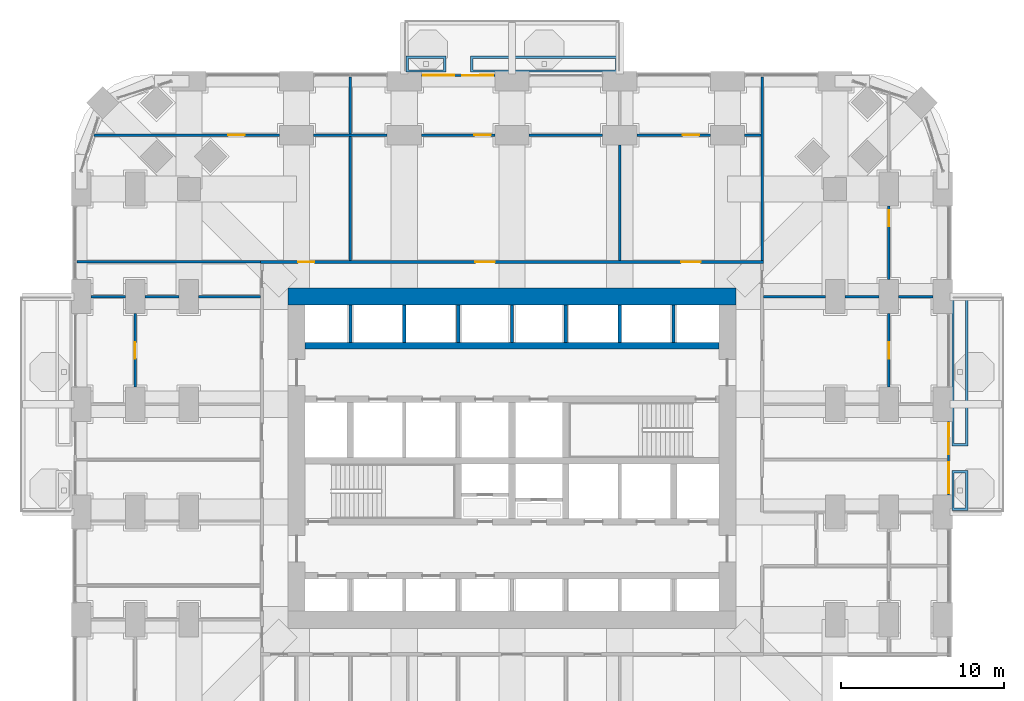
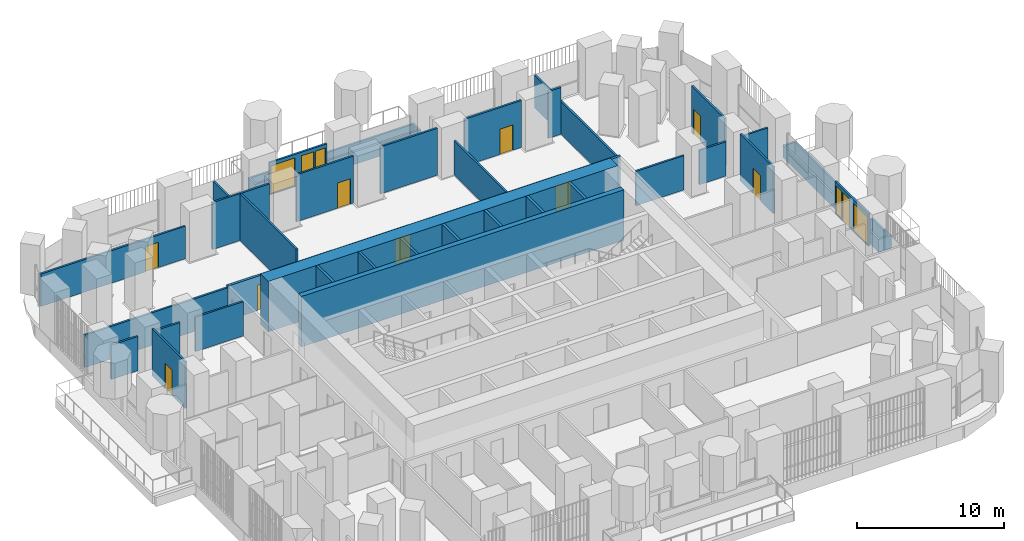
# One storey, part 20 of 26: 36 walls, 11 doors, 4 windows, 15 openings.
"""IFC4 building model written with IfcOpenShell, lengths in metres."""

from ifc_helpers import new_model, si_unit, direction, frame, frame_2d, origin, place, context, subcontext, project, spatial, polyline, rectangle, outline, extrude, material, layer, layer_set, type_object, element, fill, save


model = new_model("IFC4")

# Units and contexts
model_context = context("Model", 3, precision=1e-05, world=origin(), true_north=direction((0.0, 1.0)))
body_context = subcontext(model_context, "Body", "Model", "MODEL_VIEW")
ifc_project = project(units=[si_unit("LENGTHUNIT", "METRE"), si_unit("AREAUNIT", "SQUARE_METRE"), si_unit("VOLUMEUNIT", "CUBIC_METRE"), si_unit("PLANEANGLEUNIT", "RADIAN"), si_unit("MASSUNIT", "GRAM", prefix="KILO")], contexts=[model_context])

# Site, building, storey
site_placement = place(None, origin())
site = spatial("IfcSite", under=ifc_project, at=site_placement, CompositionType="ELEMENT")
building_placement = place(site_placement, origin())
building = spatial("IfcBuilding", under=site, at=building_placement, Name="Cobogo Forest Laboratory Tower", CompositionType="ELEMENT")
storey_placement = place(building_placement, frame((0.0, 0.0, 59.10009765625)))
storey = spatial("IfcBuildingStorey", under=building, at=storey_placement, Name="L13", CompositionType="ELEMENT", Elevation=59.10009765625)

# Walls
ifc_material_1 = material(Name="Concrete HA-50 (C50/60)", Category="concrete")
ifc_layer_1 = layer(ifc_material_1, 0.39990234375)
ifc_layer_set_1 = layer_set([ifc_layer_1], Name="CI400 core inner wall 400")
wall_type_1 = type_object("IfcWallType", Name="CI400 core inner wall 400", PredefinedType="SHEAR", material=ifc_layer_set_1)
wall_1_placement = place(storey_placement, frame((13.72509765625, 30.0, 0.0), z_axis=(0.0, 0.0, 1.0), x_axis=(1.0, 0.0, 0.0)))
element("IfcWall", 1, at=wall_1_placement, inside=storey, type_object=wall_type_1, Name="Core wall CI-30.0 L13", PredefinedType="SHEAR", context=body_context, shape_type="SweptSolid", body=[
    extrude(rectangle(XDim=25.349853515625, YDim=0.39990234375, at=frame_2d((12.6748046875, 0.0))), origin(), (0.0, 0.0, 1.0), 4.199951171875),
])
ifc_layer_2 = layer(ifc_material_1, 1.050048828125)
ifc_layer_set_2 = layer_set([ifc_layer_2], Name="CW1050 core outer wall 1050")
wall_type_2 = type_object("IfcWallType", Name="CW1050 core outer wall 1050", PredefinedType="SHEAR", material=ifc_layer_set_2)
wall_2_placement = place(storey_placement, frame((40.125, 33.0, 0.0), z_axis=(0.0, 0.0, 1.0), x_axis=(-1.0, 0.0, 0.0)))
element("IfcWall", 2, at=wall_2_placement, inside=storey, type_object=wall_type_2, Name="Core wall CO-N L13", PredefinedType="SHEAR", context=body_context, shape_type="SweptSolid", body=[
    extrude(rectangle(XDim=27.449951171875, YDim=1.050048828125, at=frame_2d((13.72509765625, 0.0))), origin(), (0.0, 0.0, 1.0), 4.199951171875),
])

# Wall, openings, door, windows
ifc_material_2 = material(Name="Aluminium framed glazed screen", Category="aluminium")
ifc_layer_3 = layer(ifc_material_2, 0.14990234375)
ifc_layer_set_3 = layer_set([ifc_layer_3], Name="GS1 glazed door screen 150")
wall_type_3 = type_object("IfcWallType", Name="GS1 glazed door screen 150", PredefinedType="SOLIDWALL", material=ifc_layer_set_3)
wall_3_placement = place(storey_placement, frame((53.14990234375, 20.85009765625, 0.0), z_axis=(0.0, 0.0, 1.0), x_axis=(0.0, 1.0, 0.0)))
wall_3 = element("IfcWall", 3, at=wall_3_placement, inside=storey, type_object=wall_type_3, Name="Door screen BAL-E1 L13", PredefinedType="SOLIDWALL", context=body_context, shape_type="SweptSolid", body=[
    extrude(rectangle(XDim=4.5, YDim=0.14990234375, at=frame_2d((2.25, 0.0))), origin(), (0.0, 0.0, 1.0), 2.699951171875),
])
opening_1_placement = place(wall_3_placement, frame((2.5, 0.0, 0.0)))
opening_1 = element("IfcOpeningElement", 4, at=opening_1_placement, cuts=wall_3, Name="Opening L13-D31", PredefinedType="OPENING", context=body_context, shape_type="SweptSolid", body=[
    extrude(rectangle(XDim=1.0, YDim=2.39990234375, at=frame_2d((0.5, 1.199951171875))), frame((0.0, 0.0849609375, 0.0), z_axis=(0.0, -1.0, 0.0), x_axis=(1.0, 0.0, 0.0)), (0.0, 0.0, 1.0), 0.169921875),
])
opening_2_placement = place(wall_3_placement, frame((0.10009765625, 0.0, 0.10009765625)))
opening_2 = element("IfcOpeningElement", 5, at=opening_2_placement, cuts=wall_3, Name="Opening L13-W04", PredefinedType="OPENING", context=body_context, shape_type="SweptSolid", body=[
    extrude(rectangle(XDim=1.89990234375, YDim=2.300048828125, at=frame_2d((0.949951171875, 1.14990234375))), frame((0.0, 0.0849609375, 0.0), z_axis=(0.0, -1.0, 0.0), x_axis=(1.0, 0.0, 0.0)), (0.0, 0.0, 1.0), 0.169921875),
])
opening_3_placement = place(wall_3_placement, frame((3.60009765625, 0.0, 0.10009765625)))
opening_3 = element("IfcOpeningElement", 6, at=opening_3_placement, cuts=wall_3, Name="Opening L13-W06", PredefinedType="OPENING", context=body_context, shape_type="SweptSolid", body=[
    extrude(rectangle(XDim=0.800048828125, YDim=2.300048828125, at=frame_2d((0.39990234375, 1.14990234375))), frame((0.0, 0.0849609375, 0.0), z_axis=(0.0, -1.0, 0.0), x_axis=(1.0, 0.0, 0.0)), (0.0, 0.0, 1.0), 0.169921875),
])
ifc_material_3 = material(Name="Aluminium glazed door", Category="aluminium")
door_type_1 = type_object("IfcDoorType", Name="DB1 balcony door 1000 glazed", OperationType="SINGLE_SWING_LEFT", PredefinedType="DOOR", material=ifc_material_3)
door_1_placement = place(opening_1_placement, origin())
door_1 = element("IfcDoor", 7, at=door_1_placement, inside=storey, type_object=door_type_1, Name="Door L13-BAL-E1", OperationType="SINGLE_SWING_RIGHT", OverallHeight=2.39990234375, OverallWidth=1.0, PredefinedType="DOOR", context=body_context, shape_type="SweptSolid", body=[
    extrude(rectangle(XDim=1.0, YDim=2.39990234375, at=frame_2d((0.5, 1.199951171875))), frame((0.0, 0.02490234375, 0.0), z_axis=(0.0, -1.0, 0.0), x_axis=(1.0, 0.0, 0.0)), (0.0, 0.0, 1.0), 0.050048828125),
])
fill(opening_1, door_1)
ifc_material_4 = material(Name="Aluminium framed glazing", Category="aluminium")
window_type_1 = type_object("IfcWindowType", Name="WG3 fixed glazed light 1900x2300", PartitioningType="SINGLE_PANEL", PredefinedType="WINDOW", material=ifc_material_4)
window_1_placement = place(opening_2_placement, origin())
window_1 = element("IfcWindow", 8, at=window_1_placement, inside=storey, type_object=window_type_1, Name="Window L13-BAL-E1-1", OverallHeight=2.300048828125, OverallWidth=1.89990234375, PartitioningType="SINGLE_PANEL", PredefinedType="WINDOW", context=body_context, shape_type="SweptSolid", body=[
    extrude(rectangle(XDim=1.89990234375, YDim=2.300048828125, at=frame_2d((0.949951171875, 1.14990234375))), frame((0.0, 0.030029296875, 0.0), z_axis=(0.0, -1.0, 0.0), x_axis=(1.0, 0.0, 0.0)), (0.0, 0.0, 1.0), 0.06005859375),
])
fill(opening_2, window_1)
window_type_2 = type_object("IfcWindowType", Name="WG4 fixed glazed light 800x2300", PartitioningType="SINGLE_PANEL", PredefinedType="WINDOW", material=ifc_material_4)
window_2_placement = place(opening_3_placement, origin())
window_2 = element("IfcWindow", 9, at=window_2_placement, inside=storey, type_object=window_type_2, Name="Window L13-BAL-E1-2", OverallHeight=2.300048828125, OverallWidth=0.800048828125, PartitioningType="SINGLE_PANEL", PredefinedType="WINDOW", context=body_context, shape_type="SweptSolid", body=[
    extrude(rectangle(XDim=0.800048828125, YDim=2.300048828125, at=frame_2d((0.39990234375, 1.14990234375))), frame((0.0, 0.030029296875, 0.0), z_axis=(0.0, -1.0, 0.0), x_axis=(1.0, 0.0, 0.0)), (0.0, 0.0, 1.0), 0.06005859375),
])
fill(opening_3, window_2)

wall_4_placement = place(storey_placement, frame((25.35009765625, 46.550048828125, 0.0), z_axis=(0.0, 0.0, 1.0), x_axis=(-1.0, 0.0, 0.0)))
wall_4 = element("IfcWall", 10, at=wall_4_placement, inside=storey, type_object=wall_type_3, Name="Door screen BAL-N1 L13", PredefinedType="SOLIDWALL", context=body_context, shape_type="SweptSolid", body=[
    extrude(rectangle(XDim=4.5, YDim=0.14990234375, at=frame_2d((2.25, 0.0))), origin(), (0.0, 0.0, 1.0), 2.699951171875),
])
opening_4_placement = place(wall_4_placement, frame((1.0, 0.0, 0.0)))
opening_4 = element("IfcOpeningElement", 11, at=opening_4_placement, cuts=wall_4, Name="Opening L13-D50", PredefinedType="OPENING", context=body_context, shape_type="SweptSolid", body=[
    extrude(rectangle(XDim=1.0, YDim=2.39990234375, at=frame_2d((0.5, 1.199951171875))), frame((0.0, 0.0849609375, 0.0), z_axis=(0.0, -1.0, 0.0), x_axis=(1.0, 0.0, 0.0)), (0.0, 0.0, 1.0), 0.169921875),
])
opening_5_placement = place(wall_4_placement, frame((0.10009765625, 0.0, 0.10009765625)))
opening_5 = element("IfcOpeningElement", 12, at=opening_5_placement, cuts=wall_4, Name="Opening L13-W08", PredefinedType="OPENING", context=body_context, shape_type="SweptSolid", body=[
    extrude(rectangle(XDim=0.800048828125, YDim=2.300048828125, at=frame_2d((0.39990234375, 1.14990234375))), frame((0.0, 0.0849609375, 0.0), z_axis=(0.0, -1.0, 0.0), x_axis=(1.0, 0.0, 0.0)), (0.0, 0.0, 1.0), 0.169921875),
])
opening_6_placement = place(wall_4_placement, frame((2.5, 0.0, 0.10009765625)))
opening_6 = element("IfcOpeningElement", 13, at=opening_6_placement, cuts=wall_4, Name="Opening L13-W07", PredefinedType="OPENING", context=body_context, shape_type="SweptSolid", body=[
    extrude(rectangle(XDim=1.89990234375, YDim=2.300048828125, at=frame_2d((0.949951171875, 1.14990234375))), frame((0.0, 0.0849609375, 0.0), z_axis=(0.0, -1.0, 0.0), x_axis=(1.0, 0.0, 0.0)), (0.0, 0.0, 1.0), 0.169921875),
])
door_2_placement = place(opening_4_placement, origin())
door_2 = element("IfcDoor", 14, at=door_2_placement, inside=storey, type_object=door_type_1, Name="Door L13-BAL-N1", OperationType="SINGLE_SWING_LEFT", OverallHeight=2.39990234375, OverallWidth=1.0, PredefinedType="DOOR", context=body_context, shape_type="SweptSolid", body=[
    extrude(rectangle(XDim=1.0, YDim=2.39990234375, at=frame_2d((0.5, 1.199951171875))), frame((0.0, 0.02490234375, 0.0), z_axis=(0.0, -1.0, 0.0), x_axis=(1.0, 0.0, 0.0)), (0.0, 0.0, 1.0), 0.050048828125),
])
fill(opening_4, door_2)
window_3_placement = place(opening_6_placement, origin())
window_3 = element("IfcWindow", 15, at=window_3_placement, inside=storey, type_object=window_type_1, Name="Window L13-BAL-N1-2", OverallHeight=2.300048828125, OverallWidth=1.89990234375, PartitioningType="SINGLE_PANEL", PredefinedType="WINDOW", context=body_context, shape_type="SweptSolid", body=[
    extrude(rectangle(XDim=1.89990234375, YDim=2.300048828125, at=frame_2d((0.949951171875, 1.14990234375))), frame((0.0, 0.030029296875, 0.0), z_axis=(0.0, -1.0, 0.0), x_axis=(1.0, 0.0, 0.0)), (0.0, 0.0, 1.0), 0.06005859375),
])
fill(opening_6, window_3)
window_4_placement = place(opening_5_placement, origin())
window_4 = element("IfcWindow", 16, at=window_4_placement, inside=storey, type_object=window_type_2, Name="Window L13-BAL-N1-1", OverallHeight=2.300048828125, OverallWidth=0.800048828125, PartitioningType="SINGLE_PANEL", PredefinedType="WINDOW", context=body_context, shape_type="SweptSolid", body=[
    extrude(rectangle(XDim=0.800048828125, YDim=2.300048828125, at=frame_2d((0.39990234375, 1.14990234375))), frame((0.0, 0.030029296875, 0.0), z_axis=(0.0, -1.0, 0.0), x_axis=(1.0, 0.0, 0.0)), (0.0, 0.0, 1.0), 0.06005859375),
])
fill(opening_5, window_4)

# Walls
ifc_material_5 = material(Name="Gypsum board on steel studs", Category="steel")
ifc_layer_4 = layer(ifc_material_5, 0.14990234375)
ifc_layer_set_4 = layer_set([ifc_layer_4], Name="PT1 laboratory partition 150")
wall_type_4 = type_object("IfcWallType", Name="PT1 laboratory partition 150", PredefinedType="PARTITIONING", material=ifc_layer_set_4)
wall_5_placement = place(storey_placement, frame((41.72509765625, 46.469970703125, 0.0), z_axis=(0.0, 0.0, 1.0), x_axis=(0.0, -1.0, 0.0)))
element("IfcWall", 17, at=wall_5_placement, inside=storey, type_object=wall_type_4, Name="Partition PW-NE L13", PredefinedType="PARTITIONING", context=body_context, shape_type="SweptSolid", body=[
    extrude(rectangle(XDim=11.244873046875, YDim=0.14990234375, at=frame_2d((5.62255859375, 0.0))), origin(), (0.0, 0.0, 1.0), 2.699951171875),
])
wall_6_placement = place(storey_placement, frame((-0.27001953125, 35.125, 0.0), z_axis=(0.0, 0.0, 1.0), x_axis=(1.0, 0.0, 0.0)))
element("IfcWall", 18, at=wall_6_placement, inside=storey, type_object=wall_type_4, Name="Partition PW-NW L13", PredefinedType="PARTITIONING", context=body_context, shape_type="SweptSolid", body=[
    extrude(rectangle(XDim=11.2451171875, YDim=0.14990234375, at=frame_2d((5.62255859375, 0.0))), origin(), (0.0, 0.0, 1.0), 2.699951171875),
])

# Wall, opening, door
wall_7_placement = place(storey_placement, frame((49.5, 27.449951171875, 0.0), z_axis=(0.0, 0.0, 1.0), x_axis=(0.0, 1.0, 0.0)))
wall_7 = element("IfcWall", 19, at=wall_7_placement, inside=storey, type_object=wall_type_4, Name="Partition STRIP-E-3 L13", PredefinedType="PARTITIONING", context=body_context, shape_type="SweptSolid", body=[
    extrude(rectangle(XDim=4.5, YDim=0.14990234375, at=frame_2d((2.25, 0.0))), origin(), (0.0, 0.0, 1.0), 3.89990234375),
])
opening_7_placement = place(wall_7_placement, frame((1.75, 0.0, 0.0)))
opening_7 = element("IfcOpeningElement", 20, at=opening_7_placement, cuts=wall_7, Name="Opening L13-D40", PredefinedType="OPENING", context=body_context, shape_type="SweptSolid", body=[
    extrude(rectangle(XDim=1.0, YDim=2.10009765625, at=frame_2d((0.5, 1.050048828125))), frame((0.0, 0.0849609375, 0.0), z_axis=(0.0, -1.0, 0.0), x_axis=(1.0, 0.0, 0.0)), (0.0, 0.0, 1.0), 0.169921875),
])
ifc_material_6 = material(Name="Timber fire door", Category="wood")
door_type_2 = type_object("IfcDoorType", Name="FD2 fire door 1000 EI2 30", OperationType="SINGLE_SWING_LEFT", PredefinedType="DOOR", material=ifc_material_6)
door_3_placement = place(opening_7_placement, origin())
door_3 = element("IfcDoor", 21, at=door_3_placement, inside=storey, type_object=door_type_2, Name="Door L13-E3W", OperationType="SINGLE_SWING_RIGHT", OverallHeight=2.10009765625, OverallWidth=1.0, PredefinedType="DOOR", context=body_context, shape_type="SweptSolid", body=[
    extrude(rectangle(XDim=1.0, YDim=2.10009765625, at=frame_2d((0.5, 1.050048828125))), frame((0.0, 0.02490234375, 0.0), z_axis=(0.0, -1.0, 0.0), x_axis=(1.0, 0.0, 0.0)), (0.0, 0.0, 1.0), 0.050048828125),
])
fill(opening_7, door_3)

wall_8_placement = place(storey_placement, frame((49.5, 34.050048828125, 0.0), z_axis=(0.0, 0.0, 1.0), x_axis=(0.0, 1.0, 0.0)))
wall_8 = element("IfcWall", 22, at=wall_8_placement, inside=storey, type_object=wall_type_4, Name="Partition STRIP-E-4 L13", PredefinedType="PARTITIONING", context=body_context, shape_type="SweptSolid", body=[
    extrude(rectangle(XDim=4.5, YDim=0.14990234375, at=frame_2d((2.25, 0.0))), origin(), (0.0, 0.0, 1.0), 3.89990234375),
])
opening_8_placement = place(wall_8_placement, frame((3.25, 0.0, 0.0)))
opening_8 = element("IfcOpeningElement", 23, at=opening_8_placement, cuts=wall_8, Name="Opening L13-D46", PredefinedType="OPENING", context=body_context, shape_type="SweptSolid", body=[
    extrude(rectangle(XDim=1.0, YDim=2.10009765625, at=frame_2d((0.5, 1.050048828125))), frame((0.0, 0.0849609375, 0.0), z_axis=(0.0, -1.0, 0.0), x_axis=(1.0, 0.0, 0.0)), (0.0, 0.0, 1.0), 0.169921875),
])
door_4_placement = place(opening_8_placement, origin())
door_4 = element("IfcDoor", 24, at=door_4_placement, inside=storey, type_object=door_type_2, Name="Door L13-E4W", OperationType="SINGLE_SWING_RIGHT", OverallHeight=2.10009765625, OverallWidth=1.0, PredefinedType="DOOR", context=body_context, shape_type="SweptSolid", body=[
    extrude(rectangle(XDim=1.0, YDim=2.10009765625, at=frame_2d((0.5, 1.050048828125))), frame((0.0, 0.02490234375, 0.0), z_axis=(0.0, -1.0, 0.0), x_axis=(1.0, 0.0, 0.0)), (0.0, 0.0, 1.0), 0.050048828125),
])
fill(opening_8, door_4)

# Walls
for number, where, z_axis, x_axis, name in (
    (25, (52.199951171875, 33.0, 0.0), (0.0, 0.0, 1.0), (-1.0, 0.0, 0.0), "Partition CUT-E33-1 L13"),
    (26, (48.89990234375, 33.0, 0.0), (0.0, 0.0, 1.0), (-1.0, 0.0, 0.0), "Partition CUT-E33-2 L13"),
):
    element("IfcWall", number, at=place(storey_placement, frame(where, z_axis=z_axis, x_axis=x_axis)), inside=storey, type_object=wall_type_4, Name=name, PredefinedType="PARTITIONING", context=body_context, shape_type="SweptSolid", body=[
        extrude(rectangle(XDim=2.099853515625, YDim=0.14990234375, at=frame_2d((1.0498046875, 0.0))), origin(), (0.0, 0.0, 1.0), 2.849853515625),
    ])
wall_9_placement = place(storey_placement, frame((45.60009765625, 33.0, 0.0), z_axis=(0.0, 0.0, 1.0), x_axis=(-1.0, 0.0, 0.0)))
element("IfcWall", 27, at=wall_9_placement, inside=storey, type_object=wall_type_4, Name="Partition CUT-E33-3 L13", PredefinedType="PARTITIONING", context=body_context, shape_type="SweptSolid", body=[
    extrude(rectangle(XDim=3.775146484375, YDim=0.14990234375, at=frame_2d((1.8876953125, 0.0))), origin(), (0.0, 0.0, 1.0), 2.849853515625),
])
wall_10_placement = place(storey_placement, frame((41.64990234375, 42.89990234375, 0.0), z_axis=(0.0, 0.0, 1.0), x_axis=(-1.0, 0.0, 0.0)))
element("IfcWall", 28, at=wall_10_placement, inside=storey, type_object=wall_type_4, Name="Partition STRIP-N-1 L13", PredefinedType="PARTITIONING", context=body_context, shape_type="SweptSolid", body=[
    extrude(rectangle(XDim=1.0, YDim=0.14990234375, at=frame_2d((0.5, 0.0))), origin(), (0.0, 0.0, 1.0), 3.89990234375),
])

# Wall, opening, door
wall_11_placement = place(storey_placement, frame((38.550048828125, 42.89990234375, 0.0), z_axis=(0.0, 0.0, 1.0), x_axis=(-1.0, 0.0, 0.0)))
wall_11 = element("IfcWall", 29, at=wall_11_placement, inside=storey, type_object=wall_type_4, Name="Partition STRIP-N-2 L13", PredefinedType="PARTITIONING", context=body_context, shape_type="SweptSolid", body=[
    extrude(rectangle(XDim=4.5, YDim=0.14990234375, at=frame_2d((2.25, 0.0))), origin(), (0.0, 0.0, 1.0), 3.89990234375),
])
opening_9_placement = place(wall_11_placement, frame((0.6875, 0.0, 0.0)))
opening_9 = element("IfcOpeningElement", 30, at=opening_9_placement, cuts=wall_11, Name="Opening L13-D49", PredefinedType="OPENING", context=body_context, shape_type="SweptSolid", body=[
    extrude(rectangle(XDim=1.0, YDim=2.10009765625, at=frame_2d((0.5, 1.050048828125))), frame((0.0, 0.0849609375, 0.0), z_axis=(0.0, -1.0, 0.0), x_axis=(1.0, 0.0, 0.0)), (0.0, 0.0, 1.0), 0.169921875),
])
door_5_placement = place(opening_9_placement, origin())
door_5 = element("IfcDoor", 31, at=door_5_placement, inside=storey, type_object=door_type_2, Name="Door L13-N3W", OperationType="SINGLE_SWING_LEFT", OverallHeight=2.10009765625, OverallWidth=1.0, PredefinedType="DOOR", context=body_context, shape_type="SweptSolid", body=[
    extrude(rectangle(XDim=1.0, YDim=2.10009765625, at=frame_2d((0.5, 1.050048828125))), frame((0.0, 0.02490234375, 0.0), z_axis=(0.0, -1.0, 0.0), x_axis=(1.0, 0.0, 0.0)), (0.0, 0.0, 1.0), 0.050048828125),
])
fill(opening_9, door_5)

# Wall
wall_12_placement = place(storey_placement, frame((31.949951171875, 42.89990234375, 0.0), z_axis=(0.0, 0.0, 1.0), x_axis=(-1.0, 0.0, 0.0)))
element("IfcWall", 32, at=wall_12_placement, inside=storey, type_object=wall_type_4, Name="Partition STRIP-N-3 L13", PredefinedType="PARTITIONING", context=body_context, shape_type="SweptSolid", body=[
    extrude(rectangle(XDim=4.5, YDim=0.14990234375, at=frame_2d((2.25, 0.0))), origin(), (0.0, 0.0, 1.0), 3.89990234375),
])

# Wall, opening, door
wall_13_placement = place(storey_placement, frame((25.35009765625, 42.89990234375, 0.0), z_axis=(0.0, 0.0, 1.0), x_axis=(-1.0, 0.0, 0.0)))
wall_13 = element("IfcWall", 33, at=wall_13_placement, inside=storey, type_object=wall_type_4, Name="Partition STRIP-N-4 L13", PredefinedType="PARTITIONING", context=body_context, shape_type="SweptSolid", body=[
    extrude(rectangle(XDim=4.5, YDim=0.14990234375, at=frame_2d((2.25, 0.0))), origin(), (0.0, 0.0, 1.0), 3.89990234375),
])
opening_10_placement = place(wall_13_placement, frame((0.25, 0.0, 0.0)))
opening_10 = element("IfcOpeningElement", 34, at=opening_10_placement, cuts=wall_13, Name="Opening L13-D48", PredefinedType="OPENING", context=body_context, shape_type="SweptSolid", body=[
    extrude(rectangle(XDim=1.0, YDim=2.10009765625, at=frame_2d((0.5, 1.050048828125))), frame((0.0, 0.0849609375, 0.0), z_axis=(0.0, -1.0, 0.0), x_axis=(1.0, 0.0, 0.0)), (0.0, 0.0, 1.0), 0.169921875),
])
door_6_placement = place(opening_10_placement, origin())
door_6 = element("IfcDoor", 35, at=door_6_placement, inside=storey, type_object=door_type_2, Name="Door L13-N2W", OperationType="SINGLE_SWING_LEFT", OverallHeight=2.10009765625, OverallWidth=1.0, PredefinedType="DOOR", context=body_context, shape_type="SweptSolid", body=[
    extrude(rectangle(XDim=1.0, YDim=2.10009765625, at=frame_2d((0.5, 1.050048828125))), frame((0.0, 0.02490234375, 0.0), z_axis=(0.0, -1.0, 0.0), x_axis=(1.0, 0.0, 0.0)), (0.0, 0.0, 1.0), 0.050048828125),
])
fill(opening_10, door_6)

# Wall
wall_14_placement = place(storey_placement, frame((18.75, 42.89990234375, 0.0), z_axis=(0.0, 0.0, 1.0), x_axis=(-1.0, 0.0, 0.0)))
element("IfcWall", 36, at=wall_14_placement, inside=storey, type_object=wall_type_4, Name="Partition STRIP-N-5 L13", PredefinedType="PARTITIONING", context=body_context, shape_type="SweptSolid", body=[
    extrude(rectangle(XDim=4.5, YDim=0.14990234375, at=frame_2d((2.25, 0.0))), origin(), (0.0, 0.0, 1.0), 3.89990234375),
])

# Wall, opening, door
wall_15_placement = place(storey_placement, frame((12.14990234375, 42.89990234375, 0.0), z_axis=(0.0, 0.0, 1.0), x_axis=(-1.0, 0.0, 0.0)))
wall_15 = element("IfcWall", 37, at=wall_15_placement, inside=storey, type_object=wall_type_4, Name="Partition STRIP-N-6 L13", PredefinedType="PARTITIONING", context=body_context, shape_type="SweptSolid", body=[
    extrude(rectangle(XDim=11.373779296875, YDim=0.14990234375, at=frame_2d((5.68701171875, 0.0))), origin(), (0.0, 0.0, 1.0), 2.699951171875),
])
opening_11_placement = place(wall_15_placement, frame((2.14208984375, 0.0, 0.0)))
opening_11 = element("IfcOpeningElement", 38, at=opening_11_placement, cuts=wall_15, Name="Opening L13-D47", PredefinedType="OPENING", context=body_context, shape_type="SweptSolid", body=[
    extrude(rectangle(XDim=1.0, YDim=2.10009765625, at=frame_2d((0.5, 1.050048828125))), frame((0.0, 0.0849609375, 0.0), z_axis=(0.0, -1.0, 0.0), x_axis=(1.0, 0.0, 0.0)), (0.0, 0.0, 1.0), 0.169921875),
])
door_7_placement = place(opening_11_placement, origin())
door_7 = element("IfcDoor", 39, at=door_7_placement, inside=storey, type_object=door_type_2, Name="Door L13-N1W", OperationType="SINGLE_SWING_LEFT", OverallHeight=2.10009765625, OverallWidth=1.0, PredefinedType="DOOR", context=body_context, shape_type="SweptSolid", body=[
    extrude(rectangle(XDim=1.0, YDim=2.10009765625, at=frame_2d((0.5, 1.050048828125))), frame((0.0, 0.02490234375, 0.0), z_axis=(0.0, -1.0, 0.0), x_axis=(1.0, 0.0, 0.0)), (0.0, 0.0, 1.0), 0.050048828125),
])
fill(opening_11, door_7)

# Walls
wall_16_placement = place(storey_placement, frame((16.5, 46.469970703125, 0.0), z_axis=(0.0, 0.0, 1.0), x_axis=(0.0, -1.0, 0.0)))
element("IfcWall", 40, at=wall_16_placement, inside=storey, type_object=wall_type_4, Name="Partition CUT-N16.5a-1 L13", PredefinedType="PARTITIONING", context=body_context, shape_type="SweptSolid", body=[
    extrude(rectangle(XDim=3.494873046875, YDim=0.14990234375, at=frame_2d((1.74755859375, 0.0))), origin(), (0.0, 0.0, 1.0), 2.699951171875),
])
wall_17_placement = place(storey_placement, frame((16.5, 42.824951171875, 0.0), z_axis=(0.0, 0.0, 1.0), x_axis=(0.0, -1.0, 0.0)))
element("IfcWall", 41, at=wall_17_placement, inside=storey, type_object=wall_type_4, Name="Partition CUT-N16.5b-1 L13", PredefinedType="PARTITIONING", context=body_context, shape_type="SweptSolid", body=[
    extrude(rectangle(XDim=7.599853515625, YDim=0.14990234375, at=frame_2d((3.7998046875, 0.0))), origin(), (0.0, 0.0, 1.0), 3.89990234375),
])
wall_18_placement = place(storey_placement, frame((33.0, 42.300048828125, 0.0), z_axis=(0.0, 0.0, 1.0), x_axis=(0.0, -1.0, 0.0)))
element("IfcWall", 42, at=wall_18_placement, inside=storey, type_object=wall_type_4, Name="Partition CUT-N33b-1 L13", PredefinedType="PARTITIONING", context=body_context, shape_type="SweptSolid", body=[
    extrude(rectangle(XDim=7.074951171875, YDim=0.14990234375, at=frame_2d((3.53759765625, 0.0))), origin(), (0.0, 0.0, 1.0), 2.849853515625),
])

# Wall, opening, door
wall_19_placement = place(storey_placement, frame((3.300048828125, 31.949951171875, 0.0), z_axis=(0.0, 0.0, 1.0), x_axis=(0.0, -1.0, 0.0)))
wall_19 = element("IfcWall", 43, at=wall_19_placement, inside=storey, type_object=wall_type_4, Name="Partition STRIP-W-1 L13", PredefinedType="PARTITIONING", context=body_context, shape_type="SweptSolid", body=[
    extrude(rectangle(XDim=4.5, YDim=0.14990234375, at=frame_2d((2.25, 0.0))), origin(), (0.0, 0.0, 1.0), 3.89990234375),
])
opening_12_placement = place(wall_19_placement, frame((1.75, 0.0, 0.0)))
opening_12 = element("IfcOpeningElement", 44, at=opening_12_placement, cuts=wall_19, Name="Opening L13-D37", PredefinedType="OPENING", context=body_context, shape_type="SweptSolid", body=[
    extrude(rectangle(XDim=1.0, YDim=2.10009765625, at=frame_2d((0.5, 1.050048828125))), frame((0.0, 0.0849609375, 0.0), z_axis=(0.0, -1.0, 0.0), x_axis=(1.0, 0.0, 0.0)), (0.0, 0.0, 1.0), 0.169921875),
])
door_8_placement = place(opening_12_placement, origin())
door_8 = element("IfcDoor", 45, at=door_8_placement, inside=storey, type_object=door_type_2, Name="Door L13-W3W", OperationType="SINGLE_SWING_RIGHT", OverallHeight=2.10009765625, OverallWidth=1.0, PredefinedType="DOOR", context=body_context, shape_type="SweptSolid", body=[
    extrude(rectangle(XDim=1.0, YDim=2.10009765625, at=frame_2d((0.5, 1.050048828125))), frame((0.0, 0.02490234375, 0.0), z_axis=(0.0, -1.0, 0.0), x_axis=(1.0, 0.0, 0.0)), (0.0, 0.0, 1.0), 0.050048828125),
])
fill(opening_12, door_8)

# Walls
wall_20_placement = place(storey_placement, frame((0.60009765625, 33.0, 0.0), z_axis=(0.0, 0.0, 1.0), x_axis=(1.0, 0.0, 0.0)))
element("IfcWall", 46, at=wall_20_placement, inside=storey, type_object=wall_type_4, Name="Partition CUT-W33-1 L13", PredefinedType="PARTITIONING", context=body_context, shape_type="SweptSolid", body=[
    extrude(rectangle(XDim=2.099853515625, YDim=0.14990234375, at=frame_2d((1.0498046875, 0.0))), origin(), (0.0, 0.0, 1.0), 2.849853515625),
])
wall_21_placement = place(storey_placement, frame((3.89990234375, 33.0, 0.0), z_axis=(0.0, 0.0, 1.0), x_axis=(1.0, 0.0, 0.0)))
element("IfcWall", 47, at=wall_21_placement, inside=storey, type_object=wall_type_4, Name="Partition CUT-W33-2 L13", PredefinedType="PARTITIONING", context=body_context, shape_type="SweptSolid", body=[
    extrude(rectangle(XDim=2.10009765625, YDim=0.14990234375, at=frame_2d((1.050048828125, 0.0))), origin(), (0.0, 0.0, 1.0), 2.849853515625),
])
wall_22_placement = place(storey_placement, frame((7.199951171875, 33.0, 0.0), z_axis=(0.0, 0.0, 1.0), x_axis=(1.0, 0.0, 0.0)))
element("IfcWall", 48, at=wall_22_placement, inside=storey, type_object=wall_type_4, Name="Partition CUT-W33-3 L13", PredefinedType="PARTITIONING", context=body_context, shape_type="SweptSolid", body=[
    extrude(rectangle(XDim=3.775146484375, YDim=0.14990234375, at=frame_2d((1.8876953125, 0.0))), origin(), (0.0, 0.0, 1.0), 2.849853515625),
])

# Wall, openings, doors
ifc_layer_5 = layer(ifc_material_5, 0.199951171875)
ifc_layer_set_5 = layer_set([ifc_layer_5], Name="PT2 fire-rated corridor partition 200")
wall_type_5 = type_object("IfcWallType", Name="PT2 fire-rated corridor partition 200", PredefinedType="PARTITIONING", material=ifc_layer_set_5)
wall_23_placement = place(storey_placement, frame((10.97509765625, 35.125, 0.0), z_axis=(0.0, 0.0, 1.0), x_axis=(1.0, 0.0, 0.0)))
wall_23 = element("IfcWall", 49, at=wall_23_placement, inside=storey, type_object=wall_type_5, Name="Partition CORR-N L13", PredefinedType="PARTITIONING", context=body_context, shape_type="SweptSolid", body=[
    extrude(rectangle(XDim=30.849853515625, YDim=0.199951171875, at=frame_2d((15.4248046875, 0.0))), origin(), (0.0, 0.0, 1.0), 2.849853515625),
])
opening_13_placement = place(wall_23_placement, frame((2.3125, 0.0, 0.0)))
opening_13 = element("IfcOpeningElement", 50, at=opening_13_placement, cuts=wall_23, Name="Opening L13-D43", PredefinedType="OPENING", context=body_context, shape_type="SweptSolid", body=[
    extrude(rectangle(XDim=1.0, YDim=2.10009765625, at=frame_2d((0.5, 1.050048828125))), frame((0.0, 0.10986328125, 0.0), z_axis=(0.0, -1.0, 0.0), x_axis=(1.0, 0.0, 0.0)), (0.0, 0.0, 1.0), 0.219970703125),
])
opening_14_placement = place(wall_23_placement, frame((13.175048828125, 0.0, 0.0)))
opening_14 = element("IfcOpeningElement", 51, at=opening_14_placement, cuts=wall_23, Name="Opening L13-D44", PredefinedType="OPENING", context=body_context, shape_type="SweptSolid", body=[
    extrude(rectangle(XDim=1.199951171875, YDim=2.10009765625, at=frame_2d((0.60009765625, 1.050048828125))), frame((0.0, 0.10986328125, 0.0), z_axis=(0.0, -1.0, 0.0), x_axis=(1.0, 0.0, 0.0)), (0.0, 0.0, 1.0), 0.219970703125),
])
opening_15_placement = place(wall_23_placement, frame((25.78759765625, 0.0, 0.0)))
opening_15 = element("IfcOpeningElement", 52, at=opening_15_placement, cuts=wall_23, Name="Opening L13-D45", PredefinedType="OPENING", context=body_context, shape_type="SweptSolid", body=[
    extrude(rectangle(XDim=1.199951171875, YDim=2.10009765625, at=frame_2d((0.60009765625, 1.050048828125))), frame((0.0, 0.10986328125, 0.0), z_axis=(0.0, -1.0, 0.0), x_axis=(1.0, 0.0, 0.0)), (0.0, 0.0, 1.0), 0.219970703125),
])
ifc_material_7 = material(Name="Timber door", Category="wood")
door_type_3 = type_object("IfcDoorType", Name="D2 laboratory door 1200 unequal pair", OperationType="DOUBLE_DOOR_SINGLE_SWING", PredefinedType="DOOR", material=ifc_material_7)
door_9_placement = place(opening_14_placement, origin())
door_9 = element("IfcDoor", 53, at=door_9_placement, inside=storey, type_object=door_type_3, Name="Door L13-N2", OperationType="DOUBLE_DOOR_SINGLE_SWING", OverallHeight=2.10009765625, OverallWidth=1.199951171875, PredefinedType="DOOR", context=body_context, shape_type="SweptSolid", body=[
    extrude(rectangle(XDim=1.199951171875, YDim=2.10009765625, at=frame_2d((0.60009765625, 1.050048828125))), frame((0.0, 0.02490234375, 0.0), z_axis=(0.0, -1.0, 0.0), x_axis=(1.0, 0.0, 0.0)), (0.0, 0.0, 1.0), 0.050048828125),
])
fill(opening_14, door_9)
door_10_placement = place(opening_15_placement, origin())
door_10 = element("IfcDoor", 54, at=door_10_placement, inside=storey, type_object=door_type_3, Name="Door L13-N3", OperationType="DOUBLE_DOOR_SINGLE_SWING", OverallHeight=2.10009765625, OverallWidth=1.199951171875, PredefinedType="DOOR", context=body_context, shape_type="SweptSolid", body=[
    extrude(rectangle(XDim=1.199951171875, YDim=2.10009765625, at=frame_2d((0.60009765625, 1.050048828125))), frame((0.0, 0.02490234375, 0.0), z_axis=(0.0, -1.0, 0.0), x_axis=(1.0, 0.0, 0.0)), (0.0, 0.0, 1.0), 0.050048828125),
])
fill(opening_15, door_10)
door_11_placement = place(opening_13_placement, origin())
door_11 = element("IfcDoor", 55, at=door_11_placement, inside=storey, type_object=door_type_2, Name="Door L13-N1", OperationType="SINGLE_SWING_LEFT", OverallHeight=2.10009765625, OverallWidth=1.0, PredefinedType="DOOR", context=body_context, shape_type="SweptSolid", body=[
    extrude(rectangle(XDim=1.0, YDim=2.10009765625, at=frame_2d((0.5, 1.050048828125))), frame((0.0, 0.02490234375, 0.0), z_axis=(0.0, -1.0, 0.0), x_axis=(1.0, 0.0, 0.0)), (0.0, 0.0, 1.0), 0.050048828125),
])
fill(opening_13, door_11)

# Walls
ifc_material_8 = material(Name="Concrete HA-40 (C40/50)", Category="concrete")
ifc_layer_6 = layer(ifc_material_8, 0.14990234375)
ifc_layer_set_6 = layer_set([ifc_layer_6], Name="Planter box 1000x1050")
wall_type_6 = type_object("IfcWallType", Name="Planter box 1000x1050", PredefinedType="USERDEFINED", material=ifc_layer_set_6)
wall_24_placement = place(storey_placement, origin())
element("IfcWall", 56, at=wall_24_placement, inside=storey, type_object=wall_type_6, Name="Planter BAL-E1-1 L13", ObjectType="PLANTER", PredefinedType="USERDEFINED", context=body_context, shape_type="SweptSolid", body=[
    extrude(outline(polyline([(53.35009765625, 19.89990234375), (54.35009765625, 19.89990234375), (54.35009765625, 22.35009765625), (53.35009765625, 22.35009765625), (53.35009765625, 19.89990234375)]), holes=[polyline([(53.5, 20.050048828125), (54.199951171875, 20.050048828125), (54.199951171875, 22.199951171875), (53.5, 22.199951171875), (53.5, 20.050048828125)])]), origin(), (0.0, 0.0, 1.0), 1.0498046875),
])
wall_25_placement = place(storey_placement, origin())
element("IfcWall", 57, at=wall_25_placement, inside=storey, type_object=wall_type_6, Name="Planter BAL-E1-2 L13", ObjectType="PLANTER", PredefinedType="USERDEFINED", context=body_context, shape_type="SweptSolid", body=[
    extrude(outline(polyline([(53.35009765625, 23.85009765625), (54.35009765625, 23.85009765625), (54.35009765625, 32.89990234375), (53.35009765625, 32.89990234375), (53.35009765625, 23.85009765625)]), holes=[polyline([(53.5, 24.0), (54.199951171875, 24.0), (54.199951171875, 32.75), (53.5, 32.75), (53.5, 24.0)])]), origin(), (0.0, 0.0, 1.0), 1.0498046875),
])
wall_26_placement = place(storey_placement, origin())
element("IfcWall", 58, at=wall_26_placement, inside=storey, type_object=wall_type_6, Name="Planter BAL-N1-1 L13", ObjectType="PLANTER", PredefinedType="USERDEFINED", context=body_context, shape_type="SweptSolid", body=[
    extrude(outline(polyline([(19.89990234375, 46.75), (22.35009765625, 46.75), (22.35009765625, 47.75), (19.89990234375, 47.75), (19.89990234375, 46.75)]), holes=[polyline([(20.050048828125, 46.89990234375), (22.199951171875, 46.89990234375), (22.199951171875, 47.60009765625), (20.050048828125, 47.60009765625), (20.050048828125, 46.89990234375)])]), origin(), (0.0, 0.0, 1.0), 1.0498046875),
])
wall_27_placement = place(storey_placement, origin())
element("IfcWall", 59, at=wall_27_placement, inside=storey, type_object=wall_type_6, Name="Planter BAL-N1-2 L13", ObjectType="PLANTER", PredefinedType="USERDEFINED", context=body_context, shape_type="SweptSolid", body=[
    extrude(outline(polyline([(23.85009765625, 46.75), (32.89990234375, 46.75), (32.89990234375, 47.75), (23.85009765625, 47.75), (23.85009765625, 46.75)]), holes=[polyline([(24.0, 46.89990234375), (32.75, 46.89990234375), (32.75, 47.60009765625), (24.0, 47.60009765625), (24.0, 46.89990234375)])]), origin(), (0.0, 0.0, 1.0), 1.0498046875),
])
ifc_material_9 = material(Name="Concrete block", Category="concrete")
ifc_layer_7 = layer(ifc_material_9, 0.199951171875)
ifc_layer_set_7 = layer_set([ifc_layer_7], Name="SW200 lift shaft separator 200")
wall_type_7 = type_object("IfcWallType", Name="SW200 lift shaft separator 200", PredefinedType="PARTITIONING", material=ifc_layer_set_7)
for number, where, z_axis, x_axis, name in (
    (60, (16.5, 30.199951171875, 0.0), (0.0, 0.0, 1.0), (0.0, 1.0, 0.0), "Core wall SEP-N1 L13"),
    (61, (19.800048828125, 30.199951171875, 0.0), (0.0, 0.0, 1.0), (0.0, 1.0, 0.0), "Core wall SEP-N2 L13"),
    (62, (23.10009765625, 30.199951171875, 0.0), (0.0, 0.0, 1.0), (0.0, 1.0, 0.0), "Core wall SEP-N3 L13"),
    (63, (26.39990234375, 30.199951171875, 0.0), (0.0, 0.0, 1.0), (0.0, 1.0, 0.0), "Core wall SEP-N4 L13"),
    (64, (29.699951171875, 30.199951171875, 0.0), (0.0, 0.0, 1.0), (0.0, 1.0, 0.0), "Core wall SEP-N5 L13"),
    (65, (33.0, 30.199951171875, 0.0), (0.0, 0.0, 1.0), (0.0, 1.0, 0.0), "Core wall SEP-N6 L13"),
    (66, (36.300048828125, 30.199951171875, 0.0), (0.0, 0.0, 1.0), (0.0, 1.0, 0.0), "Core wall SEP-N7 L13"),
):
    element("IfcWall", number, at=place(storey_placement, frame(where, z_axis=z_axis, x_axis=x_axis)), inside=storey, type_object=wall_type_7, Name=name, PredefinedType="PARTITIONING", context=body_context, shape_type="SweptSolid", body=[
        extrude(rectangle(XDim=2.275146484375, YDim=0.199951171875, at=frame_2d((1.1376953125, 0.0))), origin(), (0.0, 0.0, 1.0), 4.199951171875),
    ])

save(model, "model.ifc")
